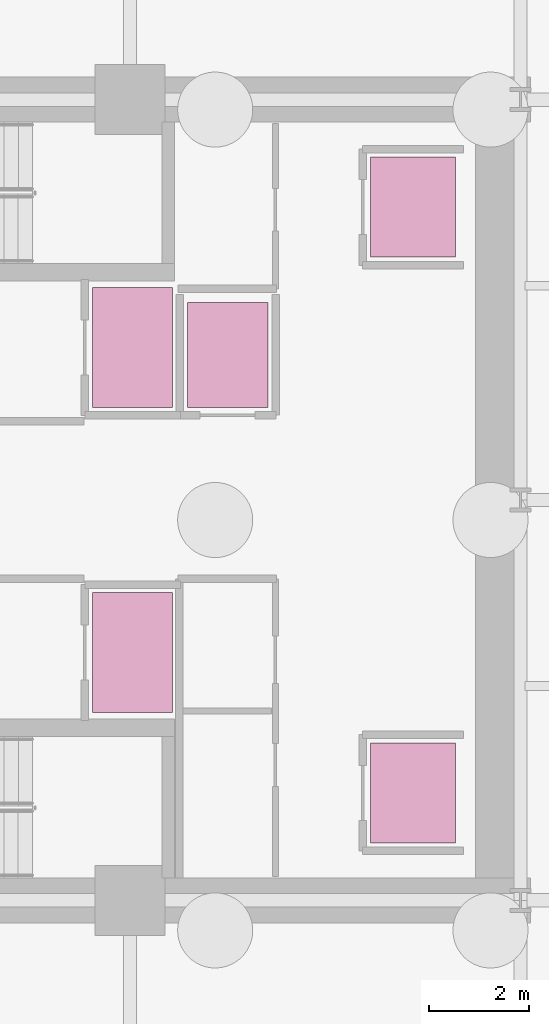
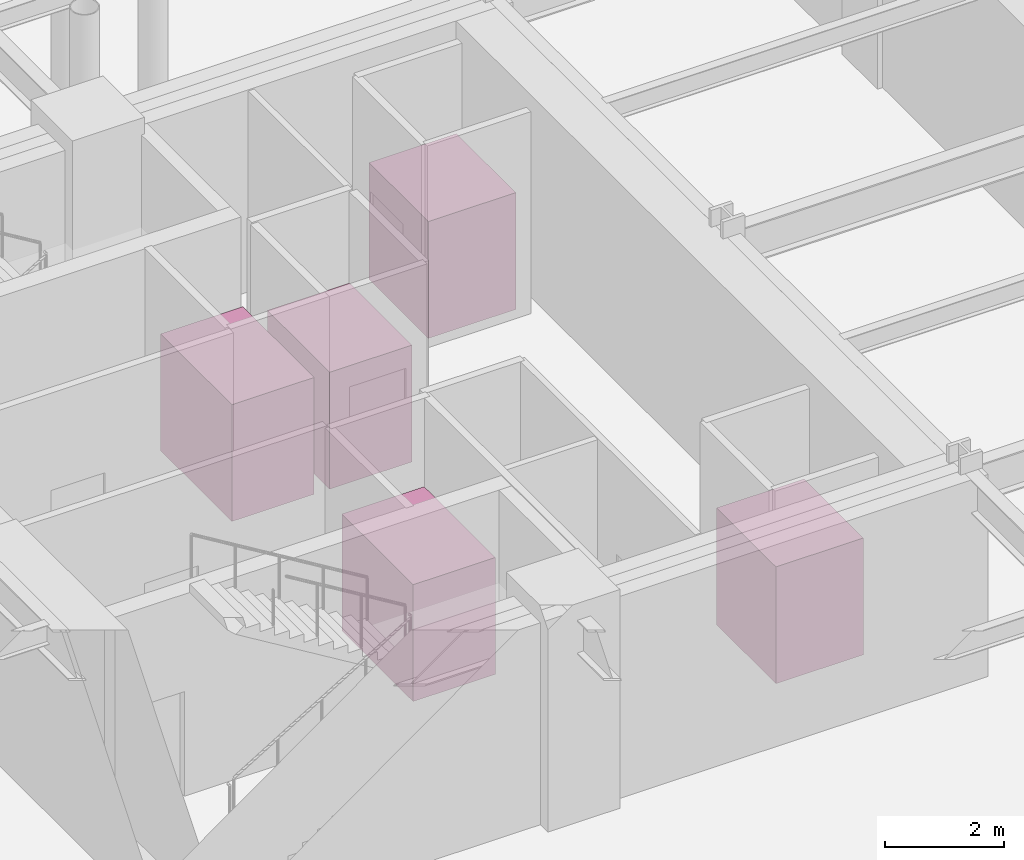
# One storey, part 10 of 10: 5 transport elements.
"""IFC4 building model written with IfcOpenShell, lengths in metres."""

import ifcopenshell
import ifcopenshell.guid

model = None  # the IFC model being written
_history = None  # IfcOwnerHistory: only IFC2X3 demands one
_inside = {}  # id of a spatial element -> (the spatial element, [elements in it])
_under = {}  # id of a project, library or spatial element -> (it, [spatial elements below it])
_declared = {}  # id of a project -> (the project, [libraries it declares])
_typed = {}  # id of a type object -> (the type object, [elements of that type])
_made_of = {}  # id of a material, layer set ... -> (it, [elements and type objects made of it])


def new_model(schema):
    """Start an empty IFC model of exactly this schema.

    Asked for "IFC4X3", IfcOpenShell would pick the latest addendum, in which some entities
    have other attributes; the version numbers below select the first issue.
    IFC2X3 requires an IfcOwnerHistory on every rooted entity: one is made here for all.
    """
    global model, _history
    if schema == "IFC4X3":
        model = ifcopenshell.file(schema_version=(4, 3, 0, 0))
    else:
        model = ifcopenshell.file(schema=schema)
    _inside.clear()
    _under.clear()
    _declared.clear()
    _typed.clear()
    _made_of.clear()
    _history = None
    if model.schema == "IFC2X3":
        org = make("IfcOrganization", Name="unknown")
        user = make(
            "IfcPersonAndOrganization",
            ThePerson=make("IfcPerson", FamilyName="unknown"),
            TheOrganization=org,
        )
        app = make(
            "IfcApplication",
            ApplicationDeveloper=org,
            Version="unknown",
            ApplicationFullName="unknown",
            ApplicationIdentifier="unknown",
        )
        _history = make(
            "IfcOwnerHistory",
            OwningUser=user,
            OwningApplication=app,
            ChangeAction="ADDED",
            CreationDate=0,
        )
    return model


def make(cls, **values):
    """One entity of the class cls with the attributes given. An attribute that is None is left unset."""
    return model.create_entity(
        cls, **{name: value for name, value in values.items() if value is not None}
    )


def rooted(cls, **values):
    """An entity with a GlobalId (a new one), such as an element, a storey or a relation."""
    return make(cls, GlobalId=ifcopenshell.guid.new(), OwnerHistory=_history, **values)


def si_unit(unit_type, name, prefix=None):
    """IfcSIUnit, for example si_unit("LENGTHUNIT", "METRE", prefix="MILLI")."""
    return make("IfcSIUnit", UnitType=unit_type, Prefix=prefix, Name=name)


def assignment(units):
    """IfcUnitAssignment: the units of a project."""
    return None if units is None else make("IfcUnitAssignment", Units=units)


def point(xyz):
    """IfcCartesianPoint."""
    return None if xyz is None else make("IfcCartesianPoint", Coordinates=xyz)


def direction(xyz):
    """IfcDirection."""
    return None if xyz is None else make("IfcDirection", DirectionRatios=xyz)


def frame(location, z_axis=None, x_axis=None):
    """IfcAxis2Placement3D, a coordinate frame: its origin and axes. An axis left out is left unset."""
    return make(
        "IfcAxis2Placement3D",
        Location=point(location),
        Axis=direction(z_axis),
        RefDirection=direction(x_axis),
    )


def frame_2d(location, x_axis=None):
    """IfcAxis2Placement2D, a coordinate frame in the plane: its origin and x axis."""
    return make(
        "IfcAxis2Placement2D", Location=point(location), RefDirection=direction(x_axis)
    )


def origin():
    """The frame at (0, 0, 0) with its axes left unset."""
    return frame((0.0, 0.0, 0.0))


def origin_2d():
    """The frame at (0, 0) in the plane with its x axis left unset."""
    return frame_2d((0.0, 0.0))


def place(relative_to, where):
    """IfcLocalPlacement: puts the frame where relative to a parent placement (None: the world)."""
    return make(
        "IfcLocalPlacement", PlacementRelTo=relative_to, RelativePlacement=where
    )


def context(
    kind, dimensions, precision=None, world=None, true_north=None, identifier=None
):
    """IfcGeometricRepresentationContext, for example the 3D "Model" context."""
    return make(
        "IfcGeometricRepresentationContext",
        ContextIdentifier=identifier,
        ContextType=kind,
        CoordinateSpaceDimension=dimensions,
        Precision=precision,
        WorldCoordinateSystem=world,
        TrueNorth=true_north,
    )


def subcontext(parent, identifier, kind, view, scale=None):
    """IfcGeometricRepresentationSubContext, for example "Body" below "Model"."""
    return make(
        "IfcGeometricRepresentationSubContext",
        ContextIdentifier=identifier,
        ContextType=kind,
        ParentContext=parent,
        TargetScale=scale,
        TargetView=view,
    )


def project(units=None, contexts=None):
    """IfcProject with its units and contexts."""
    return rooted(
        "IfcProject",
        Name="project",
        RepresentationContexts=contexts,
        UnitsInContext=assignment(units),
    )


def spatial(cls, under=None, at=None, **own):
    """A site, building, storey or space (cls), placed at a placement, below another one or the project."""
    s = rooted(cls, ObjectPlacement=at, **own)
    if under is not None:
        _under.setdefault(under.id(), (under, []))[1].append(s)
    return s


def profile(cls, at=None, kind="AREA", **sizes):
    """A parametric profile (cls). Its sizes go by their IFC names, for example OverallWidth=200.0."""
    return make(cls, ProfileType=kind, Position=at, **sizes)


def rectangle(**sizes):
    """IfcRectangleProfileDef."""
    return profile("IfcRectangleProfileDef", **sizes)


def extrude(swept, where, along, depth):
    """IfcExtrudedAreaSolid: the profile swept, set in the frame where, extruded along a direction by depth."""
    return make(
        "IfcExtrudedAreaSolid",
        SweptArea=swept,
        Position=where,
        ExtrudedDirection=direction(along),
        Depth=depth,
    )


def shape(context_of_items, identifier, shape_type, items):
    """IfcShapeRepresentation: the items that make up one representation, for example the "Body"."""
    return make(
        "IfcShapeRepresentation",
        ContextOfItems=context_of_items,
        RepresentationIdentifier=identifier,
        RepresentationType=shape_type,
        Items=items,
    )


def material(Name=None, Category=None):
    """IfcMaterial."""
    return make("IfcMaterial", Name=Name, Category=Category)


def made_of(thing, what):
    """Note that an element or type object is made of a material, layer set ...; save() writes the relation."""
    if what is not None:
        _made_of.setdefault(what.id(), (what, []))[1].append(thing)
    return thing


def type_object(cls, material=None, **own):
    """A type object (cls), such as IfcWallType, which elements share."""
    return made_of(rooted(cls, **own), material)


def element(
    cls,
    number,
    at=None,
    inside=None,
    cuts=None,
    type_object=None,
    material=None,
    context=None,
    identifier="Body",
    shape_type=None,
    held_by="IfcProductDefinitionShape",
    body=None,
    shapes=None,
    **own,
):
    """One element of the class cls, such as IfcWall. Its Tag is "e" and its number.

    at: its placement. inside: the storey or other place that contains it. cuts: it is an
    opening in that element (IfcRelVoidsElement). A single representation is given by context,
    identifier, shape_type and body (its items); several are given by shapes. held_by: the class
    of the entity that holds the representations. save() writes the other relations.
    """
    e = rooted(cls, Tag="e%d" % number, ObjectPlacement=at, **own)
    if body is not None:
        shapes = [shape(context, identifier, shape_type, body)]
    if shapes is not None:
        e.Representation = make(held_by, Representations=shapes)
    if inside is not None:
        _inside.setdefault(inside.id(), (inside, []))[1].append(e)
    if cuts is not None:
        rooted(
            "IfcRelVoidsElement", RelatingBuildingElement=cuts, RelatedOpeningElement=e
        )
    if type_object is not None:
        _typed.setdefault(type_object.id(), (type_object, []))[1].append(e)
    return made_of(e, material)


def aggregate(whole, parts):
    """IfcRelAggregates: a whole, such as a stair, and the parts it consists of."""
    return rooted("IfcRelAggregates", RelatingObject=whole, RelatedObjects=parts)


def save(model, path):
    """Write the relations noted so far, then the file.

    IfcRelAggregates (storeys below a building ...), IfcRelContainedInSpatialStructure (elements
    in a storey), IfcRelDefinesByType, IfcRelAssociatesMaterial and IfcRelDeclares: one each for
    every whole, place, type object, material and project.
    """
    for whole, parts in _under.values():
        aggregate(whole, parts)
    for where, things in _inside.values():
        rooted(
            "IfcRelContainedInSpatialStructure",
            RelatedElements=things,
            RelatingStructure=where,
        )
    for kind, things in _typed.values():
        rooted("IfcRelDefinesByType", RelatedObjects=things, RelatingType=kind)
    for what, things in _made_of.values():
        rooted("IfcRelAssociatesMaterial", RelatedObjects=things, RelatingMaterial=what)
    for by, libraries in _declared.values():
        rooted("IfcRelDeclares", RelatingContext=by, RelatedDefinitions=libraries)
    model.write(path)


model = new_model("IFC4")

# Units and contexts
model_context = context("Model", 3, precision=1e-05, world=origin(), true_north=direction((0.0, 1.0)))
body_context = subcontext(model_context, "Body", "Model", "MODEL_VIEW")
ifc_project = project(units=[si_unit("LENGTHUNIT", "METRE"), si_unit("AREAUNIT", "SQUARE_METRE"), si_unit("VOLUMEUNIT", "CUBIC_METRE"), si_unit("PLANEANGLEUNIT", "RADIAN"), si_unit("MASSUNIT", "GRAM", prefix="KILO")], contexts=[model_context])

# Site, building, storey
site_placement = place(None, origin())
site = spatial("IfcSite", under=ifc_project, at=site_placement, CompositionType="ELEMENT")
building_placement = place(site_placement, origin())
building = spatial("IfcBuilding", under=site, at=building_placement, Name="Veymaron Broadcast Tower", CompositionType="ELEMENT")
storey_placement = place(building_placement, frame((0.0, 0.0, -9.0)))
storey = spatial("IfcBuildingStorey", under=building, at=storey_placement, Name="B2", CompositionType="ELEMENT", Elevation=-9.0)

# Transport elements
ifc_material = material(Name="Brushed stainless steel AISI 304", Category="steel")
transport_element_type_1 = type_object("IfcTransportElementType", Name="LIFT-FF1", PredefinedType="ELEVATOR", material=ifc_material)
transport_element_1_placement = place(storey_placement, frame((46.85009765625, 27.050048828125, 0.0), z_axis=(0.0, 0.0, 1.0), x_axis=(1.0, 0.0, 0.0)))
element("IfcTransportElement", 1, at=transport_element_1_placement, inside=storey, type_object=transport_element_type_1, Name="Firefighting and stretcher lift FFL-1", PredefinedType="ELEVATOR", context=body_context, shape_type="SweptSolid", body=[
    extrude(rectangle(XDim=1.60009765625, YDim=2.39990234375, at=origin_2d()), origin(), (0.0, 0.0, 1.0), 2.39990234375),
])
transport_element_type_2 = type_object("IfcTransportElementType", Name="LIFT-FF2", PredefinedType="ELEVATOR", material=ifc_material)
transport_element_2_placement = place(storey_placement, frame((46.85009765625, 20.949951171875, 0.0), z_axis=(0.0, 0.0, 1.0), x_axis=(1.0, 0.0, 0.0)))
element("IfcTransportElement", 2, at=transport_element_2_placement, inside=storey, type_object=transport_element_type_2, Name="Firefighting and stretcher lift FFL-2", PredefinedType="ELEVATOR", context=body_context, shape_type="SweptSolid", body=[
    extrude(rectangle(XDim=1.60009765625, YDim=2.39990234375, at=origin_2d()), origin(), (0.0, 0.0, 1.0), 2.39990234375),
])
transport_element_type_3 = type_object("IfcTransportElementType", Name="LIFT-PH1", PredefinedType="ELEVATOR", material=ifc_material)
transport_element_3_placement = place(storey_placement, frame((52.449951171875, 18.14990234375, 0.0), z_axis=(0.0, 0.0, 1.0), x_axis=(1.0, 0.0, 0.0)))
element("IfcTransportElement", 3, at=transport_element_3_placement, inside=storey, type_object=transport_element_type_3, Name="High-rise observation passenger lift PH1", PredefinedType="ELEVATOR", context=body_context, shape_type="SweptSolid", body=[
    extrude(rectangle(XDim=1.699951171875, YDim=2.0, at=origin_2d()), origin(), (0.0, 0.0, 1.0), 2.39990234375),
])
transport_element_type_4 = type_object("IfcTransportElementType", Name="LIFT-PL1", PredefinedType="ELEVATOR", material=ifc_material)
transport_element_4_placement = place(storey_placement, frame((52.449951171875, 29.85009765625, 0.0), z_axis=(0.0, 0.0, 1.0), x_axis=(1.0, 0.0, 0.0)))
element("IfcTransportElement", 4, at=transport_element_4_placement, inside=storey, type_object=transport_element_type_4, Name="Low-rise passenger lift PL1", PredefinedType="ELEVATOR", context=body_context, shape_type="SweptSolid", body=[
    extrude(rectangle(XDim=1.699951171875, YDim=2.0, at=origin_2d()), origin(), (0.0, 0.0, 1.0), 2.39990234375),
])
transport_element_type_5 = type_object("IfcTransportElementType", Name="LIFT-SL1", PredefinedType="ELEVATOR", material=ifc_material)
transport_element_5_placement = place(storey_placement, frame((48.75, 26.89990234375, 0.0), z_axis=(0.0, 0.0, 1.0), x_axis=(1.0, 0.0, 0.0)))
element("IfcTransportElement", 5, at=transport_element_5_placement, inside=storey, type_object=transport_element_type_5, Name="Full-height goods and service lift SL-1", PredefinedType="ELEVATOR", context=body_context, shape_type="SweptSolid", body=[
    extrude(rectangle(XDim=1.60009765625, YDim=2.10009765625, at=origin_2d()), origin(), (0.0, 0.0, 1.0), 2.39990234375),
])

save(model, "model.ifc")
